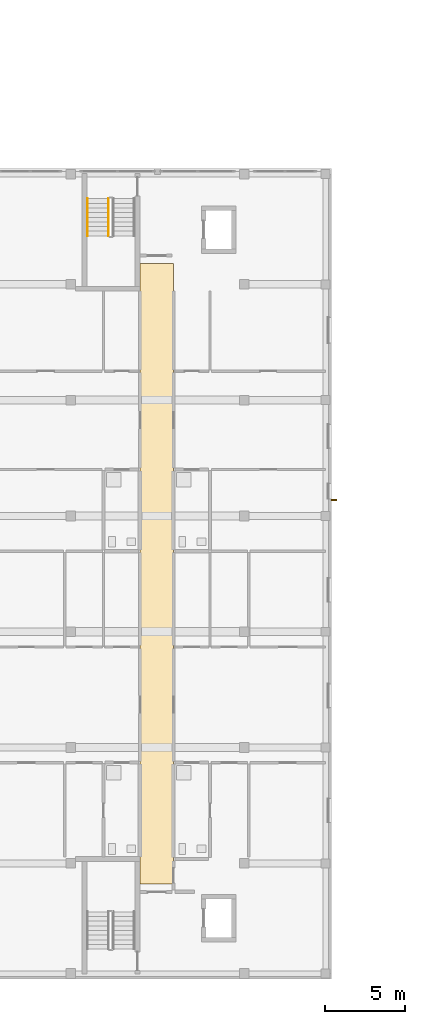
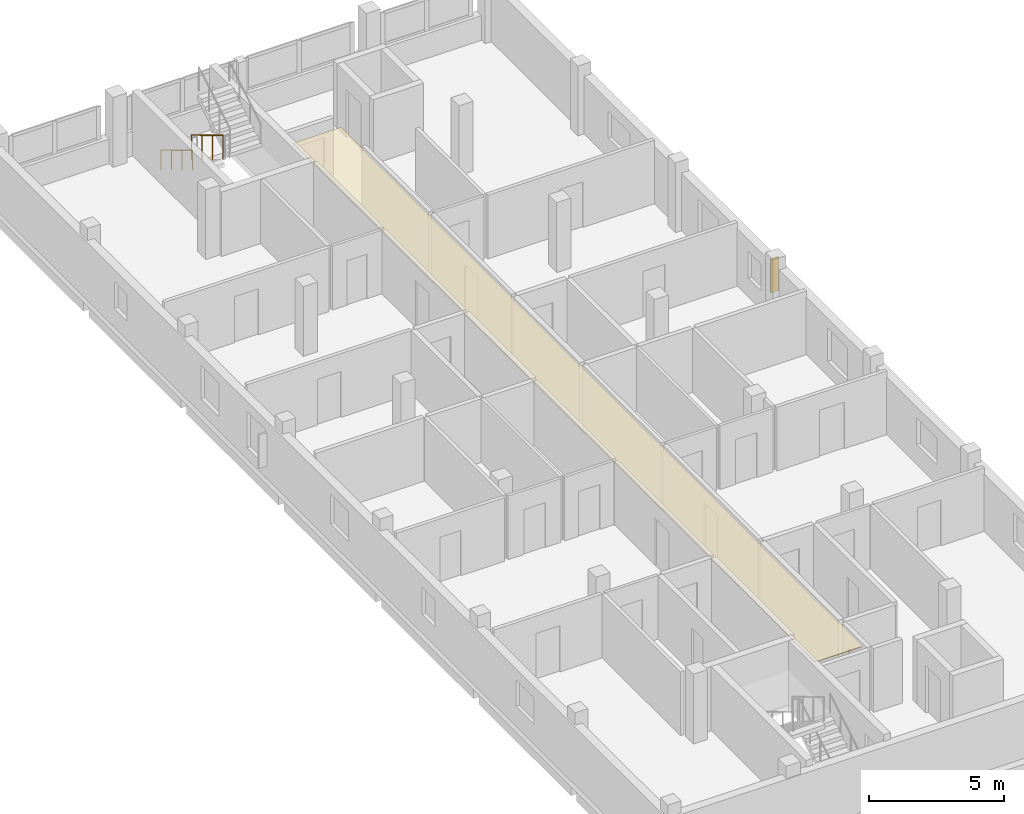
# One storey, part 28 of 38: 2 railings, 1 covering, 1 shading device.
"""IFC4 building model written with IfcOpenShell, lengths in metres."""

from ifc_helpers import new_model, si_unit, derived_unit, direction, frame, origin, origin_2d, place, context, subcontext, project, spatial, polyline, rectangle, circle, outline, extrude, material, layer, layer_set, type_object, element, save


model = new_model("IFC4")

# Units and contexts
model_context = context("Model", 3, precision=1e-05, world=origin(), true_north=direction((0.0, 1.0)))
body_context = subcontext(model_context, "Body", "Model", "MODEL_VIEW")
ifc_project = project(units=[si_unit("LENGTHUNIT", "METRE"), si_unit("AREAUNIT", "SQUARE_METRE"), si_unit("VOLUMEUNIT", "CUBIC_METRE"), si_unit("PLANEANGLEUNIT", "RADIAN"), si_unit("MASSUNIT", "GRAM", prefix="KILO"), derived_unit("THERMALTRANSMITTANCEUNIT", [(si_unit("MASSUNIT", "GRAM", prefix="KILO"), 1), (si_unit("TIMEUNIT", "SECOND"), -3), (si_unit("THERMODYNAMICTEMPERATUREUNIT", "KELVIN"), -1)])], contexts=[model_context])

# Site, building, storey
site_placement = place(None, origin())
site = spatial("IfcSite", under=ifc_project, at=site_placement, CompositionType="ELEMENT")
building_placement = place(site_placement, origin())
building = spatial("IfcBuilding", under=site, at=building_placement, Name="Ochrekiln Boulevard Commons", CompositionType="ELEMENT")
storey_placement = place(building_placement, frame((0.0, 0.0, 24.675048828125)))
storey = spatial("IfcBuildingStorey", under=building, at=storey_placement, Name="L07", CompositionType="ELEMENT", Elevation=24.675048828125)

# Covering
ifc_material_1 = material(Name="Mineral-fibre acoustic ceiling tile")
ifc_layer = layer(ifc_material_1, 0.02490234375)
ifc_layer_set = layer_set([ifc_layer], Name="Mineral-fibre acoustic ceiling tile")
covering_type = type_object("IfcCoveringType", Name="COV-CEIL-AC", PredefinedType="CEILING", material=ifc_layer_set)
covering_placement = place(storey_placement, frame((0.0, 0.0, 2.64990234375)))
element("IfcCovering", 1, at=covering_placement, inside=storey, type_object=covering_type, Name="L07 Acoustic Corridor Ceiling 58", PredefinedType="CEILING", context=body_context, shape_type="SweptSolid", body=[
    extrude(outline(polyline([(9.719970703125, 5.919921875), (11.780029296875, 5.919921875), (11.780029296875, 44.47998046875), (9.719970703125, 44.47998046875), (9.719970703125, 5.919921875)])), origin(), (0.0, 0.0, 1.0), 0.025146484375),
])

# Railings
ifc_material_2 = material(Name="Brushed stainless steel 316 tubular railing", Category="steel")
railing_type_1 = type_object("IfcRailingType", Name="RLG-HDR-900", PredefinedType="HANDRAIL", material=ifc_material_2)
railing_1_placement = place(storey_placement, frame((6.449951171875, 48.530029296875, 0.175048828125)))
element("IfcRailing", 2, at=railing_1_placement, inside=storey, type_object=railing_type_1, Name="L07 ST-D2 stair handrail 1", PredefinedType="HANDRAIL", context=body_context, shape_type="SweptSolid", body=[
    extrude(circle(Radius=0.02392578125, at=origin_2d()), frame((0.0, 0.0, 0.8759765625), z_axis=(0.0, -0.85621033714, 0.516627388526), x_axis=(1.0, 0.0, 0.0)), (0.0, 0.0, 1.0), 2.709716796875),
    extrude(circle(Radius=0.02099609375, at=origin_2d()), origin(), (0.0, 0.0, 1.0), 0.851806640625),
    extrude(circle(Radius=0.02099609375, at=origin_2d()), frame((0.0, -0.7734375, 0.466552734375)), (0.0, 0.0, 1.0), 0.851806640625),
    extrude(circle(Radius=0.02099609375, at=origin_2d()), frame((0.0, -1.546630859375, 0.933349609375)), (0.0, 0.0, 1.0), 0.851806640625),
    extrude(circle(Radius=0.02099609375, at=origin_2d()), frame((0.0, -2.320068359375, 1.39990234375)), (0.0, 0.0, 1.0), 0.851806640625),
])
railing_type_2 = type_object("IfcRailingType", Name="RLG-STR-1120", PredefinedType="BALUSTRADE", material=ifc_material_2)
railing_2_placement = place(storey_placement, frame((7.75, 48.530029296875, 0.175048828125)))
element("IfcRailing", 3, at=railing_2_placement, inside=storey, type_object=railing_type_2, Name="L07 ST-D2 stair guard 1", PredefinedType="BALUSTRADE", context=body_context, shape_type="SweptSolid", body=[
    extrude(circle(Radius=0.02392578125, at=origin_2d()), frame((0.0, 0.0, 1.09619140625), z_axis=(0.0, -0.85621033714, 0.516627388526), x_axis=(1.0, 0.0, 0.0)), (0.0, 0.0, 1.0), 2.709716796875),
    extrude(circle(Radius=0.02099609375, at=origin_2d()), origin(), (0.0, 0.0, 1.0), 1.072021484375),
    extrude(circle(Radius=0.02099609375, at=origin_2d()), frame((0.0, -0.7734375, 0.466552734375)), (0.0, 0.0, 1.0), 1.072021484375),
    extrude(circle(Radius=0.02099609375, at=origin_2d()), frame((0.0, -1.546630859375, 0.933349609375)), (0.0, 0.0, 1.0), 1.072021484375),
    extrude(circle(Radius=0.02099609375, at=origin_2d()), frame((0.0, -2.320068359375, 1.39990234375)), (0.0, 0.0, 1.0), 1.072021484375),
])

# Shading device
ifc_material_3 = material(Name="Glazed architectural terracotta ASTM C1405", Category="masonry")
shading_device_type = type_object("IfcShadingDeviceType", Name="SHD-FIN-TERRA", PredefinedType="JALOUSIE", material=ifc_material_3)
shading_device_placement = place(storey_placement, frame((21.77001953125, 29.784912109375, 0.699951171875), z_axis=(0.0, 0.0, 1.0), x_axis=(1.0, 0.0, 0.0)))
element("IfcShadingDevice", 4, at=shading_device_placement, inside=storey, type_object=shading_device_type, Name="Terracotta Solar Shading Fin SF-01 (85)", PredefinedType="JALOUSIE", context=body_context, shape_type="SweptSolid", body=[
    extrude(rectangle(XDim=0.35009765625, YDim=0.080078125, at=origin_2d()), origin(), (0.0, 0.0, 1.0), 1.5),
])

save(model, "model.ifc")
